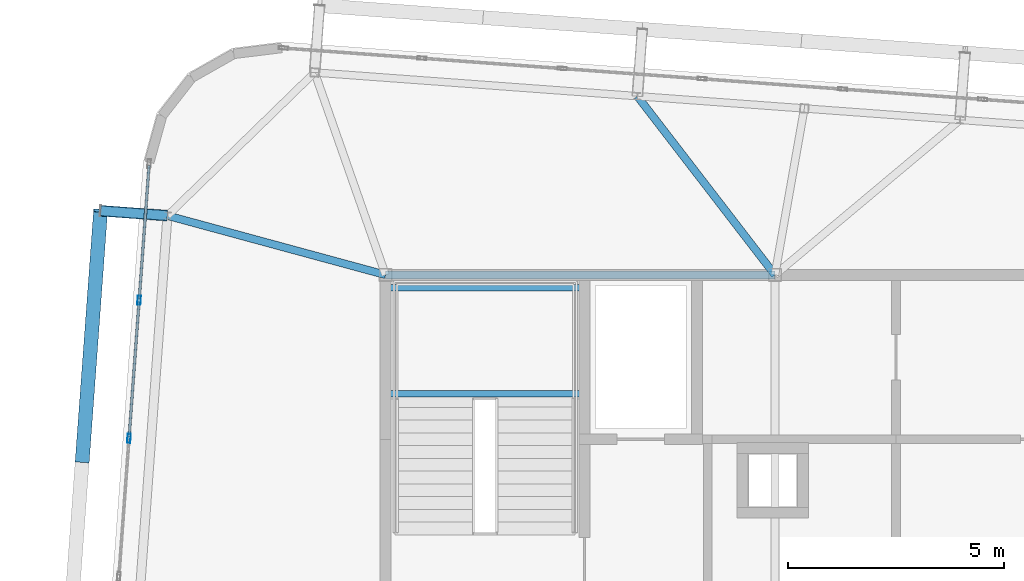
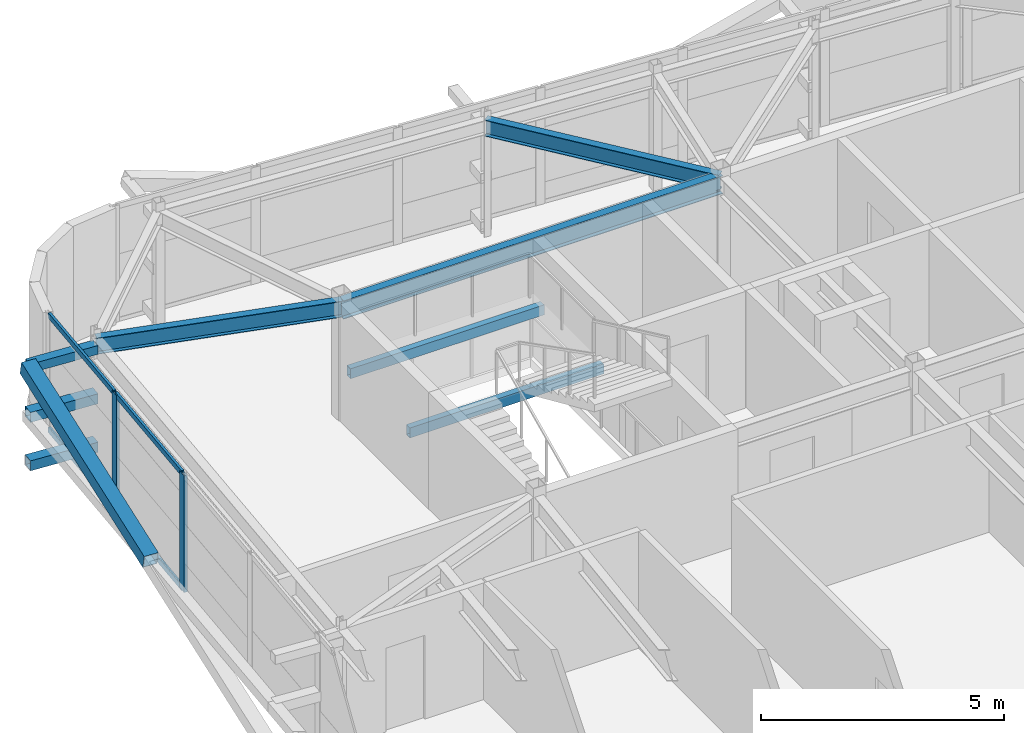
# One storey, part 17 of 42: 10 members, 5 beams, 1 element without a shape of its own.
"""IFC4 building model written with IfcOpenShell, lengths in metres."""

import ifcopenshell
import ifcopenshell.guid

model = None  # the IFC model being written
_history = None  # IfcOwnerHistory: only IFC2X3 demands one
_inside = {}  # id of a spatial element -> (the spatial element, [elements in it])
_under = {}  # id of a project, library or spatial element -> (it, [spatial elements below it])
_declared = {}  # id of a project -> (the project, [libraries it declares])
_typed = {}  # id of a type object -> (the type object, [elements of that type])
_made_of = {}  # id of a material, layer set ... -> (it, [elements and type objects made of it])


def new_model(schema):
    """Start an empty IFC model of exactly this schema.

    Asked for "IFC4X3", IfcOpenShell would pick the latest addendum, in which some entities
    have other attributes; the version numbers below select the first issue.
    IFC2X3 requires an IfcOwnerHistory on every rooted entity: one is made here for all.
    """
    global model, _history
    if schema == "IFC4X3":
        model = ifcopenshell.file(schema_version=(4, 3, 0, 0))
    else:
        model = ifcopenshell.file(schema=schema)
    _inside.clear()
    _under.clear()
    _declared.clear()
    _typed.clear()
    _made_of.clear()
    _history = None
    if model.schema == "IFC2X3":
        org = make("IfcOrganization", Name="unknown")
        user = make(
            "IfcPersonAndOrganization",
            ThePerson=make("IfcPerson", FamilyName="unknown"),
            TheOrganization=org,
        )
        app = make(
            "IfcApplication",
            ApplicationDeveloper=org,
            Version="unknown",
            ApplicationFullName="unknown",
            ApplicationIdentifier="unknown",
        )
        _history = make(
            "IfcOwnerHistory",
            OwningUser=user,
            OwningApplication=app,
            ChangeAction="ADDED",
            CreationDate=0,
        )
    return model


def make(cls, **values):
    """One entity of the class cls with the attributes given. An attribute that is None is left unset."""
    return model.create_entity(
        cls, **{name: value for name, value in values.items() if value is not None}
    )


def rooted(cls, **values):
    """An entity with a GlobalId (a new one), such as an element, a storey or a relation."""
    return make(cls, GlobalId=ifcopenshell.guid.new(), OwnerHistory=_history, **values)


def si_unit(unit_type, name, prefix=None):
    """IfcSIUnit, for example si_unit("LENGTHUNIT", "METRE", prefix="MILLI")."""
    return make("IfcSIUnit", UnitType=unit_type, Prefix=prefix, Name=name)


def assignment(units):
    """IfcUnitAssignment: the units of a project."""
    return None if units is None else make("IfcUnitAssignment", Units=units)


def point(xyz):
    """IfcCartesianPoint."""
    return None if xyz is None else make("IfcCartesianPoint", Coordinates=xyz)


def direction(xyz):
    """IfcDirection."""
    return None if xyz is None else make("IfcDirection", DirectionRatios=xyz)


def frame(location, z_axis=None, x_axis=None):
    """IfcAxis2Placement3D, a coordinate frame: its origin and axes. An axis left out is left unset."""
    return make(
        "IfcAxis2Placement3D",
        Location=point(location),
        Axis=direction(z_axis),
        RefDirection=direction(x_axis),
    )


def frame_2d(location, x_axis=None):
    """IfcAxis2Placement2D, a coordinate frame in the plane: its origin and x axis."""
    return make(
        "IfcAxis2Placement2D", Location=point(location), RefDirection=direction(x_axis)
    )


def origin():
    """The frame at (0, 0, 0) with its axes left unset."""
    return frame((0.0, 0.0, 0.0))


def origin_2d():
    """The frame at (0, 0) in the plane with its x axis left unset."""
    return frame_2d((0.0, 0.0))


def place(relative_to, where):
    """IfcLocalPlacement: puts the frame where relative to a parent placement (None: the world)."""
    return make(
        "IfcLocalPlacement", PlacementRelTo=relative_to, RelativePlacement=where
    )


def context(
    kind, dimensions, precision=None, world=None, true_north=None, identifier=None
):
    """IfcGeometricRepresentationContext, for example the 3D "Model" context."""
    return make(
        "IfcGeometricRepresentationContext",
        ContextIdentifier=identifier,
        ContextType=kind,
        CoordinateSpaceDimension=dimensions,
        Precision=precision,
        WorldCoordinateSystem=world,
        TrueNorth=true_north,
    )


def subcontext(parent, identifier, kind, view, scale=None):
    """IfcGeometricRepresentationSubContext, for example "Body" below "Model"."""
    return make(
        "IfcGeometricRepresentationSubContext",
        ContextIdentifier=identifier,
        ContextType=kind,
        ParentContext=parent,
        TargetScale=scale,
        TargetView=view,
    )


def project(units=None, contexts=None):
    """IfcProject with its units and contexts."""
    return rooted(
        "IfcProject",
        Name="project",
        RepresentationContexts=contexts,
        UnitsInContext=assignment(units),
    )


def spatial(cls, under=None, at=None, **own):
    """A site, building, storey or space (cls), placed at a placement, below another one or the project."""
    s = rooted(cls, ObjectPlacement=at, **own)
    if under is not None:
        _under.setdefault(under.id(), (under, []))[1].append(s)
    return s


def profile(cls, at=None, kind="AREA", **sizes):
    """A parametric profile (cls). Its sizes go by their IFC names, for example OverallWidth=200.0."""
    return make(cls, ProfileType=kind, Position=at, **sizes)


def hollow_rectangle(**sizes):
    """IfcRectangleHollowProfileDef."""
    return profile("IfcRectangleHollowProfileDef", **sizes)


def i_section(**sizes):
    """IfcIShapeProfileDef."""
    return profile("IfcIShapeProfileDef", **sizes)


def extrude(swept, where, along, depth):
    """IfcExtrudedAreaSolid: the profile swept, set in the frame where, extruded along a direction by depth."""
    return make(
        "IfcExtrudedAreaSolid",
        SweptArea=swept,
        Position=where,
        ExtrudedDirection=direction(along),
        Depth=depth,
    )


def shape(context_of_items, identifier, shape_type, items):
    """IfcShapeRepresentation: the items that make up one representation, for example the "Body"."""
    return make(
        "IfcShapeRepresentation",
        ContextOfItems=context_of_items,
        RepresentationIdentifier=identifier,
        RepresentationType=shape_type,
        Items=items,
    )


def source(mapping_origin, context_of_items, identifier, shape_type, items):
    """IfcRepresentationMap: a shape defined once, which mapped items show again and again."""
    return make(
        "IfcRepresentationMap",
        MappingOrigin=mapping_origin,
        MappedRepresentation=shape(context_of_items, identifier, shape_type, items),
    )


def transform(
    local_origin,
    x_axis=None,
    y_axis=None,
    z_axis=None,
    scale=None,
    scale2=None,
    scale3=None,
    uniform=True,
):
    """IfcCartesianTransformationOperator3D, or its non-uniform kind. x_axis, y_axis, z_axis: its Axis1, 2, 3."""
    if uniform:
        return make(
            "IfcCartesianTransformationOperator3D",
            Axis1=direction(x_axis),
            Axis2=direction(y_axis),
            LocalOrigin=point(local_origin),
            Scale=scale,
            Axis3=direction(z_axis),
        )
    return make(
        "IfcCartesianTransformationOperator3DnonUniform",
        Axis1=direction(x_axis),
        Axis2=direction(y_axis),
        LocalOrigin=point(local_origin),
        Scale=scale,
        Axis3=direction(z_axis),
        Scale2=scale2,
        Scale3=scale3,
    )


def mapped(mapping_source, mapping_target):
    """IfcMappedItem: shows the shape of a source again, moved by a transform."""
    return make(
        "IfcMappedItem", MappingSource=mapping_source, MappingTarget=mapping_target
    )


def material(Name=None, Category=None):
    """IfcMaterial."""
    return make("IfcMaterial", Name=Name, Category=Category)


def layer(
    of_material, thickness, ventilated=None, Name=None, Category=None, Priority=None
):
    """IfcMaterialLayer: one layer of a wall or slab, of a material (None: an air gap)."""
    return make(
        "IfcMaterialLayer",
        Material=of_material,
        LayerThickness=thickness,
        IsVentilated=ventilated,
        Name=Name,
        Category=Category,
        Priority=Priority,
    )


def layer_set(layers, Name=None):
    """IfcMaterialLayerSet."""
    return make("IfcMaterialLayerSet", MaterialLayers=layers, LayerSetName=Name)


def material_profile(
    of_material, cross_section, Name=None, Category=None, Priority=None
):
    """IfcMaterialProfile: a cross section and its material."""
    return make(
        "IfcMaterialProfile",
        Name=Name,
        Material=of_material,
        Profile=cross_section,
        Priority=Priority,
        Category=Category,
    )


def profile_set(profiles, Name=None, composite=None):
    """IfcMaterialProfileSet."""
    return make(
        "IfcMaterialProfileSet",
        Name=Name,
        MaterialProfiles=profiles,
        CompositeProfile=composite,
    )


def made_of(thing, what):
    """Note that an element or type object is made of a material, layer set ...; save() writes the relation."""
    if what is not None:
        _made_of.setdefault(what.id(), (what, []))[1].append(thing)
    return thing


def type_object(cls, material=None, **own):
    """A type object (cls), such as IfcWallType, which elements share."""
    return made_of(rooted(cls, **own), material)


def element(
    cls,
    number,
    at=None,
    inside=None,
    cuts=None,
    type_object=None,
    material=None,
    context=None,
    identifier="Body",
    shape_type=None,
    held_by="IfcProductDefinitionShape",
    body=None,
    shapes=None,
    **own,
):
    """One element of the class cls, such as IfcWall. Its Tag is "e" and its number.

    at: its placement. inside: the storey or other place that contains it. cuts: it is an
    opening in that element (IfcRelVoidsElement). A single representation is given by context,
    identifier, shape_type and body (its items); several are given by shapes. held_by: the class
    of the entity that holds the representations. save() writes the other relations.
    """
    e = rooted(cls, Tag="e%d" % number, ObjectPlacement=at, **own)
    if body is not None:
        shapes = [shape(context, identifier, shape_type, body)]
    if shapes is not None:
        e.Representation = make(held_by, Representations=shapes)
    if inside is not None:
        _inside.setdefault(inside.id(), (inside, []))[1].append(e)
    if cuts is not None:
        rooted(
            "IfcRelVoidsElement", RelatingBuildingElement=cuts, RelatedOpeningElement=e
        )
    if type_object is not None:
        _typed.setdefault(type_object.id(), (type_object, []))[1].append(e)
    return made_of(e, material)


def aggregate(whole, parts):
    """IfcRelAggregates: a whole, such as a stair, and the parts it consists of."""
    return rooted("IfcRelAggregates", RelatingObject=whole, RelatedObjects=parts)


def save(model, path):
    """Write the relations noted so far, then the file.

    IfcRelAggregates (storeys below a building ...), IfcRelContainedInSpatialStructure (elements
    in a storey), IfcRelDefinesByType, IfcRelAssociatesMaterial and IfcRelDeclares: one each for
    every whole, place, type object, material and project.
    """
    for whole, parts in _under.values():
        aggregate(whole, parts)
    for where, things in _inside.values():
        rooted(
            "IfcRelContainedInSpatialStructure",
            RelatedElements=things,
            RelatingStructure=where,
        )
    for kind, things in _typed.values():
        rooted("IfcRelDefinesByType", RelatedObjects=things, RelatingType=kind)
    for what, things in _made_of.values():
        rooted("IfcRelAssociatesMaterial", RelatedObjects=things, RelatingMaterial=what)
    for by, libraries in _declared.values():
        rooted("IfcRelDeclares", RelatingContext=by, RelatedDefinitions=libraries)
    model.write(path)


model = new_model("IFC4")

# Units and contexts
model_context = context("Model", 3, precision=1e-05, world=origin(), true_north=direction((0.0, 1.0)))
body_context = subcontext(model_context, "Body", "Model", "MODEL_VIEW")
ifc_project = project(units=[si_unit("LENGTHUNIT", "METRE"), si_unit("AREAUNIT", "SQUARE_METRE"), si_unit("VOLUMEUNIT", "CUBIC_METRE"), si_unit("PLANEANGLEUNIT", "RADIAN"), si_unit("MASSUNIT", "GRAM", prefix="KILO")], contexts=[model_context])

# Site, building, storey
site_placement = place(None, origin())
site = spatial("IfcSite", under=ifc_project, at=site_placement, CompositionType="ELEMENT")
building_placement = place(site_placement, origin())
building = spatial("IfcBuilding", under=site, at=building_placement, Name="Taldren Reach Tower", CompositionType="ELEMENT")
storey_placement = place(building_placement, frame((0.0, 0.0, 214.550048828125)))
storey = spatial("IfcBuildingStorey", under=building, at=storey_placement, Name="L65", CompositionType="ELEMENT", Elevation=214.550048828125)

# Beams
ifc_material_1 = material(Name="Steel Gr 350 (350PLUS)", Category="steel")
ifc_material_profile_1 = material_profile(ifc_material_1, i_section(OverallWidth=0.19091796875, OverallDepth=0.4599609375, WebThickness=0.010009765625, FlangeThickness=0.01611328125, at=origin_2d()), Name="460UB82.1")
ifc_profile_set_1 = profile_set([ifc_material_profile_1], Name="Steel Gr 350 (350PLUS)")
beam_type_1 = type_object("IfcBeamType", Name="BM-UB460A", PredefinedType="BEAM", material=ifc_profile_set_1)
shared_shape_1 = source(origin(), body_context, "Body", "SweptSolid", [
    extrude(i_section(OverallWidth=0.19091796875, OverallDepth=0.4599609375, WebThickness=0.010009765625, FlangeThickness=0.01611328125, at=origin_2d()), origin(), (0.0, 0.0, 1.0), 9.0),
])
beam_1_placement = place(storey_placement, frame((19.0, 32.0, 2.699951171875), z_axis=(1.0, 0.0, 0.0), x_axis=(0.0, 1.0, 0.0)))
element("IfcBeam", 1, at=beam_1_placement, inside=storey, type_object=beam_type_1, Name="Core-spine girder L65-SP04", PredefinedType="BEAM", context=body_context, shape_type="MappedRepresentation", body=[
    mapped(shared_shape_1, transform((0.0, 0.0, 0.0), scale=1.0)),
])
ifc_material_profile_2 = material_profile(ifc_material_1, i_section(OverallWidth=0.177978515625, OverallDepth=0.406005859375, WebThickness=0.0078125, FlangeThickness=0.0126953125, at=origin_2d()), Name="410UB59.7")
ifc_profile_set_2 = profile_set([ifc_material_profile_2], Name="Steel Gr 350 (350PLUS)")
beam_type_2 = type_object("IfcBeamType", Name="BM-UB410", PredefinedType="BEAM", material=ifc_profile_set_2)
shared_shape_2 = source(origin(), body_context, "Body", "SweptSolid", [
    extrude(i_section(OverallWidth=0.177978515625, OverallDepth=0.406005859375, WebThickness=0.0078125, FlangeThickness=0.0126953125, at=origin_2d()), origin(), (0.0, 0.0, 1.0), 5.213623046875),
])
beam_2_placement = place(storey_placement, frame((28.0, 32.0, 2.72705078125), z_axis=(-0.61002980411, 0.792378468976, 0.0), x_axis=(-0.792378468976, -0.61002980411, 0.0)))
element("IfcBeam", 2, at=beam_2_placement, inside=storey, type_object=beam_type_2, Name="Primary floor girder B5-N2 L65", PredefinedType="BEAM", context=body_context, shape_type="MappedRepresentation", body=[
    mapped(shared_shape_2, transform((0.0, 0.0, 0.0), scale=1.0)),
])
shared_shape_3 = source(origin(), body_context, "Body", "SweptSolid", [
    extrude(i_section(OverallWidth=0.177978515625, OverallDepth=0.406005859375, WebThickness=0.0078125, FlangeThickness=0.0126953125, at=origin_2d()), origin(), (0.0, 0.0, 1.0), 5.224365234375),
])
beam_3_placement = place(storey_placement, frame((19.0, 32.0, 2.72705078125), z_axis=(-0.965049032336, 0.262069390022, 0.0), x_axis=(-0.262069390022, -0.965049032336, 0.0)))
element("IfcBeam", 3, at=beam_3_placement, inside=storey, type_object=beam_type_2, Name="Primary floor girder B5-W3 L65", PredefinedType="BEAM", context=body_context, shape_type="MappedRepresentation", body=[
    mapped(shared_shape_3, transform((0.0, 0.0, 0.0), scale=1.0)),
])

# Members
ifc_material_2 = material(Name="Steel Gr 450 (C450L0)", Category="steel")
ifc_material_profile_3 = material_profile(ifc_material_2, hollow_rectangle(XDim=0.219970703125, YDim=0.219970703125, WallThickness=0.00830078125, at=origin_2d()), Name="220x220x8.2SHS")
ifc_profile_set_3 = profile_set([ifc_material_profile_3], Name="Steel Gr 450 (C450L0)")
member_type_1 = type_object("IfcMemberType", Name="MB-TIE219", PredefinedType="STRUT", material=ifc_profile_set_3)
shared_shape_4 = source(origin(), body_context, "Body", "SweptSolid", [
    extrude(hollow_rectangle(XDim=0.219970703125, YDim=0.219970703125, WallThickness=0.00830078125, at=origin_2d()), origin(), (0.0, 0.0, 1.0), 1.5458984375),
])
member_1_placement = place(storey_placement, frame((13.9541015625, 33.369384765625, 2.64990234375), z_axis=(-0.997311530447, 0.073278313559, 0.0), x_axis=(-0.073278313559, -0.997311530447, 0.0)))
element("IfcMember", 4, at=member_1_placement, inside=storey, type_object=member_type_1, Name="Exoskeleton diaphragm tie strut B5-W3 L65", PredefinedType="STRUT", context=body_context, shape_type="MappedRepresentation", body=[
    mapped(shared_shape_4, transform((0.0, 0.0, 0.0), scale=1.0)),
])
ifc_material_profile_4 = material_profile(ifc_material_2, hollow_rectangle(XDim=0.324951171875, YDim=0.324951171875, WallThickness=0.0126953125, at=origin_2d()), Name="325x325x12.7SHS")
ifc_profile_set_4 = profile_set([ifc_material_profile_4], Name="Steel Gr 450 (C450L0)")
member_type_2 = type_object("IfcMemberType", Name="MB-BR324", PredefinedType="BRACE", material=ifc_profile_set_4)
shared_shape_5 = source(origin(), body_context, "Body", "SweptSolid", [
    extrude(hollow_rectangle(XDim=0.324951171875, YDim=0.324951171875, WallThickness=0.0126953125, at=origin_2d()), origin(), (0.0, 0.0, 1.0), 5.92578125),
])
member_2_placement = place(storey_placement, frame((11.987548828125, 27.6982421875, 1.43505859375), z_axis=(0.071686540919, 0.976131732187, 0.205007027365), x_axis=(-0.997314185625, 0.073242167855, 0.0)))
element("IfcMember", 5, at=member_2_placement, inside=storey, type_object=member_type_2, Name="Exoskeleton Diagrid Brace B5-W2 L65", PredefinedType="BRACE", context=body_context, shape_type="MappedRepresentation", body=[
    mapped(shared_shape_5, transform((0.0, 0.0, 0.0), scale=1.0)),
])
ifc_material_3 = material(Name="Steel Gr 350 (C350L0)", Category="steel")
ifc_material_profile_5 = material_profile(ifc_material_3, hollow_rectangle(XDim=0.25, YDim=0.25, WallThickness=0.010009765625, at=origin_2d()), Name="250x250x10.0SHS")
ifc_profile_set_5 = profile_set([ifc_material_profile_5], Name="Steel Gr 350 (C350L0)")
member_type_3 = type_object("IfcMemberType", Name="MB-POST250", PredefinedType="POST", material=ifc_profile_set_5)
shared_shape_6 = source(origin(), body_context, "Body", "SweptSolid", [
    extrude(hollow_rectangle(XDim=0.25, YDim=0.25, WallThickness=0.010009765625, at=origin_2d()), origin(), (0.0, 0.0, 1.0), 1.5458984375),
])
for number, where, z_axis, x_axis, name in (
    (6, (13.9541015625, 33.369384765625, 0.219970703125), (-0.997311530447, 0.073278313559, 0.0), (-0.073278313559, -0.997311530447, 0.0), "Exoskeleton base diaphragm tie strut B5-W3 L65"),
    (7, (13.9541015625, 33.369384765625, 1.43505859375), (-0.997311530447, 0.073278313559, 0.0), (-0.073278313559, -0.997311530447, 0.0), "Exoskeleton mid-tier diaphragm tie B5-W3 L65"),
):
    element("IfcMember", number, at=place(storey_placement, frame(where, z_axis=z_axis, x_axis=x_axis)), inside=storey, type_object=member_type_3, Name=name, PredefinedType="POST", context=body_context, shape_type="MappedRepresentation", body=[
        mapped(shared_shape_6, transform((0.0, 0.0, 0.0), scale=1.0)),
    ])

# Curtain wall, members
ifc_material_4 = material(Name="Aluminium and Low-E Glass Unitised System", Category="aluminium")
ifc_layer = layer(ifc_material_4, 0.159912109375)
ifc_layer_set = layer_set([ifc_layer], Name="Aluminium and Low-E Glass Unitised System")
curtain_wall_type = type_object("IfcCurtainWallType", Name="CW-SYS-6", PredefinedType="NOTDEFINED", material=ifc_layer_set)
curtain_wall_placement = place(storey_placement, origin())
curtain_wall = element("IfcCurtainWall", 8, at=curtain_wall_placement, inside=storey, type_object=curtain_wall_type, Name="Unitised curtain wall CW-L65-W", PredefinedType="NOTDEFINED")
ifc_material_5 = material(Name="Anodised Aluminium 6063-T6", Category="aluminium")
ifc_material_profile_6 = material_profile(ifc_material_5, hollow_rectangle(XDim=0.074951171875, YDim=0.2099609375, WallThickness=0.00439453125, at=origin_2d()), Name="ALU-210x75x4.5RHS")
ifc_profile_set_6 = profile_set([ifc_material_profile_6], Name="Anodised Aluminium 6063-T6")
member_type_4 = type_object("IfcMemberType", Name="CW-MUL-200", PredefinedType="MULLION", material=ifc_profile_set_6)
shared_shape_7 = source(origin(), body_context, "Body", "SweptSolid", [
    extrude(hollow_rectangle(XDim=0.074951171875, YDim=0.2099609375, WallThickness=0.00439453125, at=origin_2d()), origin(), (0.0, 0.0, 1.0), 2.929931640625),
])
member_3_placement = place(storey_placement, frame((13.30322265625, 31.411865234375, 0.0), z_axis=(0.0, 0.0, 1.0), x_axis=(0.997314470951, -0.073238282558, 0.0)))
member_3 = element("IfcMember", 9, at=member_3_placement, type_object=member_type_4, Name="CW-6 mullion 2", PredefinedType="MULLION", context=body_context, shape_type="MappedRepresentation", body=[
    mapped(shared_shape_7, transform((0.0, 0.0, 0.0), scale=1.0)),
])
member_4_placement = place(storey_placement, frame((13.06884765625, 28.220458984375, 0.0), z_axis=(0.0, 0.0, 1.0), x_axis=(0.997314470951, -0.073238282558, 0.0)))
member_4 = element("IfcMember", 10, at=member_4_placement, type_object=member_type_4, Name="CW-6 mullion 3", PredefinedType="MULLION", context=body_context, shape_type="MappedRepresentation", body=[
    mapped(shared_shape_7, transform((0.0, 0.0, 0.0), scale=1.0)),
])
ifc_material_profile_7 = material_profile(ifc_material_5, hollow_rectangle(XDim=0.06005859375, YDim=0.135009765625, WallThickness=0.00341796875, at=origin_2d()), Name="ALU-135x60x3.5RHS")
ifc_profile_set_7 = profile_set([ifc_material_profile_7], Name="Anodised Aluminium 6063-T6")
member_type_5 = type_object("IfcMemberType", Name="CW-TRN-150", PredefinedType="USERDEFINED", material=ifc_profile_set_7)
shared_shape_8 = source(origin(), body_context, "Body", "SweptSolid", [
    extrude(hollow_rectangle(XDim=0.06005859375, YDim=0.135009765625, WallThickness=0.00341796875, at=origin_2d()), origin(), (0.0, 0.0, 1.0), 3.08740234375),
])
member_5_placement = place(storey_placement, frame((13.531982421875, 34.5283203125, 0.030029296875), z_axis=(-0.073225031802, -0.997315443938, 0.0), x_axis=(0.997315443938, -0.073225031802, 0.0)))
member_5 = element("IfcMember", 11, at=member_5_placement, type_object=member_type_5, Name="CW-6 transom 1.1", ObjectType="TRANSOM", PredefinedType="USERDEFINED", context=body_context, shape_type="MappedRepresentation", body=[
    mapped(shared_shape_8, transform((0.0, 0.0, 0.0), scale=1.0)),
])
member_6_placement = place(storey_placement, frame((13.531982421875, 34.5283203125, 2.89990234375), z_axis=(-0.073225031802, -0.997315443938, 0.0), x_axis=(0.997315443938, -0.073225031802, 0.0)))
member_6 = element("IfcMember", 12, at=member_6_placement, type_object=member_type_5, Name="CW-6 transom 1.2", ObjectType="TRANSOM", PredefinedType="USERDEFINED", context=body_context, shape_type="MappedRepresentation", body=[
    mapped(shared_shape_8, transform((0.0, 0.0, 0.0), scale=1.0)),
])
shared_shape_9 = source(origin(), body_context, "Body", "SweptSolid", [
    extrude(hollow_rectangle(XDim=0.06005859375, YDim=0.135009765625, WallThickness=0.00341796875, at=origin_2d()), origin(), (0.0, 0.0, 1.0), 3.125),
])
member_7_placement = place(storey_placement, frame((13.30029296875, 31.37451171875, 0.030029296875), z_axis=(-0.073201175928, -0.997317195201, 0.0), x_axis=(0.997317195201, -0.073201175928, 0.0)))
member_7 = element("IfcMember", 13, at=member_7_placement, type_object=member_type_5, Name="CW-6 transom 2.1", ObjectType="TRANSOM", PredefinedType="USERDEFINED", context=body_context, shape_type="MappedRepresentation", body=[
    mapped(shared_shape_9, transform((0.0, 0.0, 0.0), scale=1.0)),
])
member_8_placement = place(storey_placement, frame((13.30029296875, 31.37451171875, 2.89990234375), z_axis=(-0.073201175928, -0.997317195201, 0.0), x_axis=(0.997317195201, -0.073201175928, 0.0)))
member_8 = element("IfcMember", 14, at=member_8_placement, type_object=member_type_5, Name="CW-6 transom 2.2", ObjectType="TRANSOM", PredefinedType="USERDEFINED", context=body_context, shape_type="MappedRepresentation", body=[
    mapped(shared_shape_9, transform((0.0, 0.0, 0.0), scale=1.0)),
])
aggregate(curtain_wall, [member_3, member_4, member_5, member_6, member_7, member_8])

# Beams
ifc_material_profile_8 = material_profile(ifc_material_3, hollow_rectangle(XDim=0.14990234375, YDim=0.25, WallThickness=0.009033203125, at=origin_2d()), Name="250x150x9.0RHS")
ifc_profile_set_8 = profile_set([ifc_material_profile_8], Name="Steel Gr 350 (C350L0)")
beam_type_3 = type_object("IfcBeamType", Name="LN-RHS250", PredefinedType="LINTEL", material=ifc_profile_set_8)
shared_shape_10 = source(origin(), body_context, "Body", "SweptSolid", [
    extrude(hollow_rectangle(XDim=0.14990234375, YDim=0.25, WallThickness=0.009033203125, at=origin_2d()), origin(), (0.0, 0.0, 1.0), 4.60009765625),
])
for number, where, z_axis, x_axis, name in (
    (15, (19.0, 29.2548828125, 1.27001953125), (1.0, 0.0, 0.0), (0.0, 1.0, 0.0), "Stair half-landing support beam ST1-L65-1"),
    (16, (19.0, 31.699951171875, 1.27001953125), (1.0, 0.0, 0.0), (0.0, 1.0, 0.0), "Stair half-landing support beam ST1-L65-2"),
):
    element("IfcBeam", number, at=place(storey_placement, frame(where, z_axis=z_axis, x_axis=x_axis)), inside=storey, type_object=beam_type_3, Name=name, PredefinedType="LINTEL", context=body_context, shape_type="MappedRepresentation", body=[
        mapped(shared_shape_10, transform((0.0, 0.0, 0.0), scale=1.0)),
    ])

save(model, "model.ifc")
